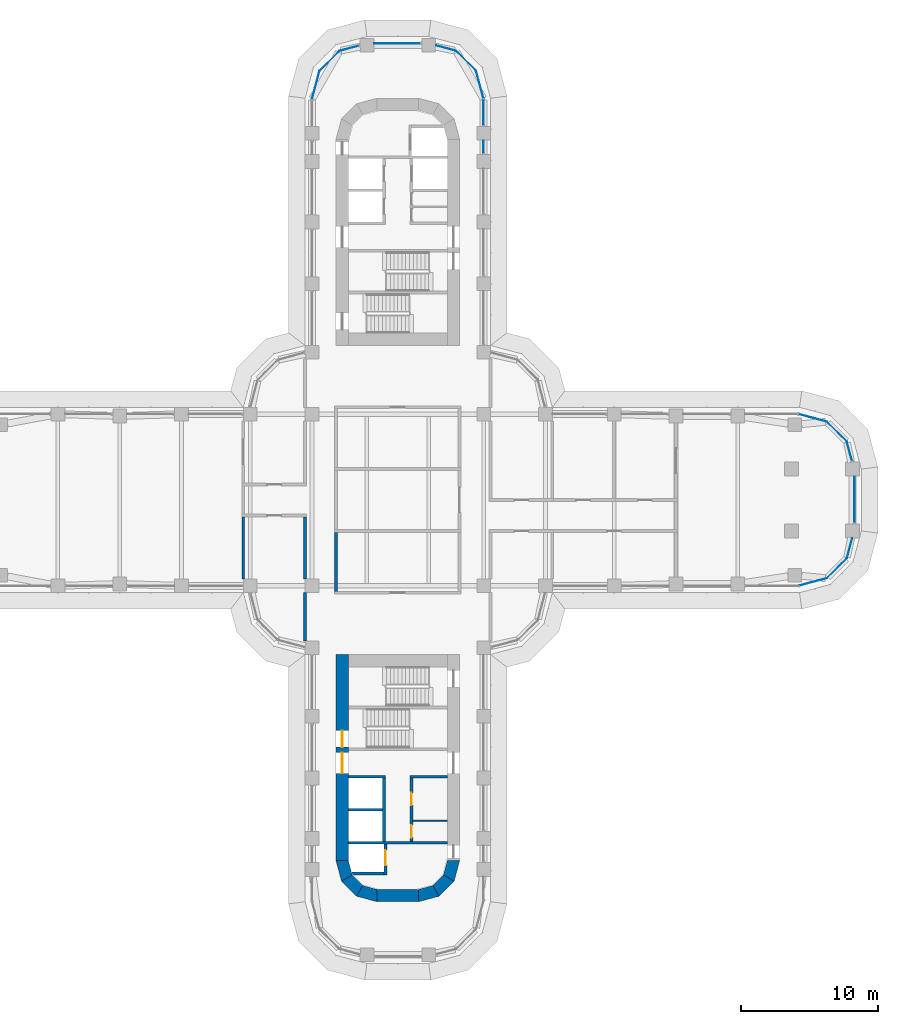
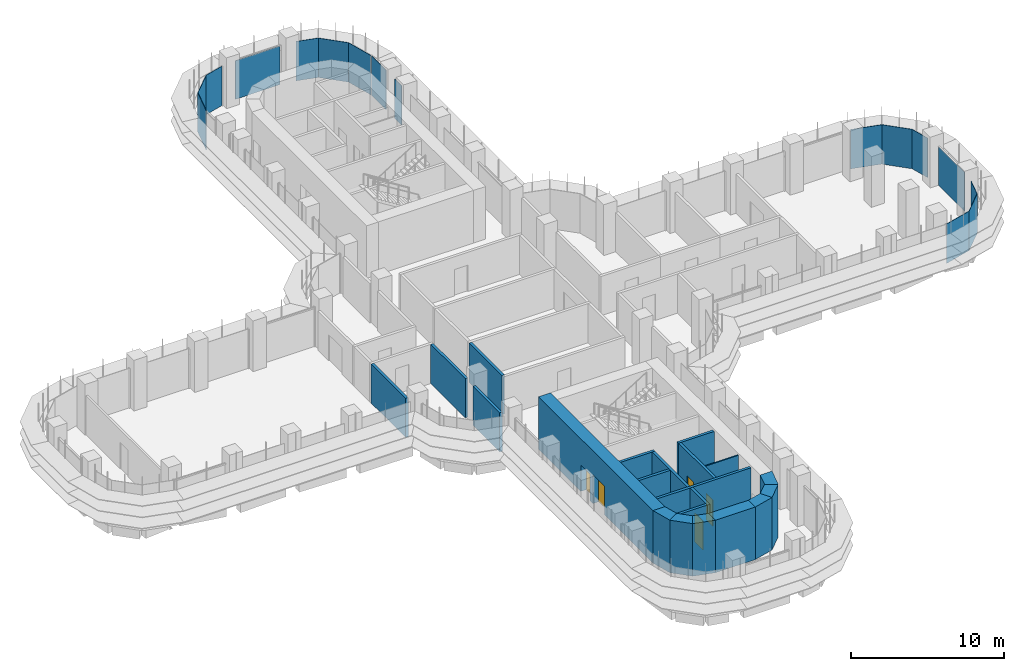
# One storey, part 16 of 23: 21 walls, 16 plates, 5 doors, 5 openings, 15 elements without a shape of their own.
"""IFC4 building model written with IfcOpenShell, lengths in metres."""

from ifc_helpers import new_model, si_unit, direction, frame, frame_2d, origin, place, context, subcontext, project, spatial, polyline, rectangle, outline, extrude, source, transform, mapped, material, layer, layer_set, type_object, element, fill, aggregate, save


model = new_model("IFC4")

# Units and contexts
model_context = context("Model", 3, precision=1e-05, world=origin(), true_north=direction((0.0, 1.0)))
body_context = subcontext(model_context, "Body", "Model", "MODEL_VIEW")
ifc_project = project(units=[si_unit("LENGTHUNIT", "METRE"), si_unit("AREAUNIT", "SQUARE_METRE"), si_unit("VOLUMEUNIT", "CUBIC_METRE"), si_unit("PLANEANGLEUNIT", "RADIAN"), si_unit("MASSUNIT", "GRAM", prefix="KILO")], contexts=[model_context])

# Site, building, storey
site_placement = place(None, origin())
site = spatial("IfcSite", under=ifc_project, at=site_placement, CompositionType="ELEMENT")
building_placement = place(site_placement, origin())
building = spatial("IfcBuilding", under=site, at=building_placement, Name="Zarbagh Exchange Tower", CompositionType="ELEMENT")
storey_placement = place(building_placement, frame((0.0, 0.0, 69.0)))
storey = spatial("IfcBuildingStorey", under=building, at=storey_placement, Name="L15", CompositionType="ELEMENT", Elevation=69.0)

# Curtain wall, plate
ifc_material_1 = material(Name="Anodised aluminium frame and glazing", Category="aluminium")
curtain_wall_type = type_object("IfcCurtainWallType", Name="CWA Ribbon glazing, lower zones", PredefinedType="NOTDEFINED", material=ifc_material_1)
curtain_wall_1_placement = place(storey_placement, origin())
curtain_wall_1 = element("IfcCurtainWall", 1, at=curtain_wall_1_placement, inside=storey, type_object=curtain_wall_type, Name="CWA13 curtain wall", PredefinedType="NOTDEFINED")
ifc_material_2 = material(Name="Low-e double glazed unit, 6+12+6 mm")
ifc_layer_1 = layer(ifc_material_2, 0.028076171875)
ifc_layer_set_1 = layer_set([ifc_layer_1], Name="PAA Glazing panel, Low-e double glazed unit, 6+12+6 mm")
plate_type = type_object("IfcPlateType", Name="PAA Glazing panel, Low-e double glazed unit, 6+12+6 mm", PredefinedType="CURTAIN_PANEL", material=ifc_layer_set_1)
shared_shape_1 = source(origin(), body_context, "Body", "SweptSolid", [
    extrude(outline(polyline([(0.0, -0.013916015625), (1.4423828125, -0.013916015625), (1.4423828125, 0.013916015625), (0.0, 0.013916015625), (0.0, -0.013916015625)])), origin(), (0.0, 0.0, 1.0), 3.14990234375),
])
placement = place(storey_placement, origin())
plate_1 = element("IfcPlate", 2, at=placement, type_object=plate_type, Name="CWA13 glazing panel 1.1", PredefinedType="CURTAIN_PANEL", context=body_context, shape_type="MappedRepresentation", body=[
    mapped(shared_shape_1, transform((33.072021484375, 2.847900390625, 0.0), x_axis=(-0.258824779902, 0.965924289636, 0.0), y_axis=(-0.965924289636, -0.258824779902, 0.0), z_axis=(0.0, 0.0, 1.0))),
])
aggregate(curtain_wall_1, [plate_1])

curtain_wall_2_placement = place(storey_placement, origin())
curtain_wall_2 = element("IfcCurtainWall", 3, at=curtain_wall_2_placement, inside=storey, type_object=curtain_wall_type, Name="CWA25 curtain wall", PredefinedType="NOTDEFINED")
plate_2 = element("IfcPlate", 4, at=placement, type_object=plate_type, Name="CWA25 glazing panel 1.1", PredefinedType="CURTAIN_PANEL", context=body_context, shape_type="MappedRepresentation", body=[
    mapped(shared_shape_1, transform((-2.847900390625, 33.072021484375, 0.0), x_axis=(-0.965924289636, -0.258824779902, 0.0), y_axis=(0.258824779902, -0.965924289636, 0.0), z_axis=(0.0, 0.0, 1.0))),
])
aggregate(curtain_wall_2, [plate_2])

curtain_wall_3_placement = place(storey_placement, origin())
curtain_wall_3 = element("IfcCurtainWall", 5, at=curtain_wall_3_placement, inside=storey, type_object=curtain_wall_type, Name="CWA10 curtain wall", PredefinedType="NOTDEFINED")
shared_shape_2 = source(origin(), body_context, "Body", "SweptSolid", [
    extrude(outline(polyline([(0.0, -0.013916015625), (2.061279296875, -0.013916015625), (2.061279296875, 0.013916015625), (0.0, 0.013916015625), (0.0, -0.013916015625)])), origin(), (0.0, 0.0, 1.0), 3.14990234375),
])
plate_3 = element("IfcPlate", 6, at=placement, type_object=plate_type, Name="CWA10 glazing panel 1.1", PredefinedType="CURTAIN_PANEL", context=body_context, shape_type="MappedRepresentation", body=[
    mapped(shared_shape_2, transform((31.2412109375, -5.69873046875, 0.0), x_axis=(0.707106781187, 0.707106781187, 0.0), y_axis=(-0.707106781187, 0.707106781187, 0.0), z_axis=(0.0, 0.0, 1.0))),
])
aggregate(curtain_wall_3, [plate_3])

curtain_wall_4_placement = place(storey_placement, origin())
curtain_wall_4 = element("IfcCurtainWall", 7, at=curtain_wall_4_placement, inside=storey, type_object=curtain_wall_type, Name="CWA14 curtain wall", PredefinedType="NOTDEFINED")
plate_4 = element("IfcPlate", 8, at=placement, type_object=plate_type, Name="CWA14 glazing panel 1.1", PredefinedType="CURTAIN_PANEL", context=body_context, shape_type="MappedRepresentation", body=[
    mapped(shared_shape_2, transform((32.69873046875, 4.2412109375, 0.0), x_axis=(-0.707106781187, 0.707106781187, 0.0), y_axis=(-0.707106781187, -0.707106781187, 0.0), z_axis=(0.0, 0.0, 1.0))),
])
aggregate(curtain_wall_4, [plate_4])

curtain_wall_5_placement = place(storey_placement, origin())
curtain_wall_5 = element("IfcCurtainWall", 9, at=curtain_wall_5_placement, inside=storey, type_object=curtain_wall_type, Name="CWA22 curtain wall", PredefinedType="NOTDEFINED")
plate_5 = element("IfcPlate", 10, at=placement, type_object=plate_type, Name="CWA22 glazing panel 1.1", PredefinedType="CURTAIN_PANEL", context=body_context, shape_type="MappedRepresentation", body=[
    mapped(shared_shape_2, transform((5.69873046875, 31.2412109375, 0.0), x_axis=(-0.707106781187, 0.707106781187, 0.0), y_axis=(-0.707106781187, -0.707106781187, 0.0), z_axis=(0.0, 0.0, 1.0))),
])
aggregate(curtain_wall_5, [plate_5])

curtain_wall_6_placement = place(storey_placement, origin())
curtain_wall_6 = element("IfcCurtainWall", 11, at=curtain_wall_6_placement, inside=storey, type_object=curtain_wall_type, Name="CWA26 curtain wall", PredefinedType="NOTDEFINED")
plate_6 = element("IfcPlate", 12, at=placement, type_object=plate_type, Name="CWA26 glazing panel 1.1", PredefinedType="CURTAIN_PANEL", context=body_context, shape_type="MappedRepresentation", body=[
    mapped(shared_shape_2, transform((-4.2412109375, 32.69873046875, 0.0), x_axis=(-0.707106781187, -0.707106781187, 0.0), y_axis=(0.707106781187, -0.707106781187, 0.0), z_axis=(0.0, 0.0, 1.0))),
])
aggregate(curtain_wall_6, [plate_6])

curtain_wall_7_placement = place(storey_placement, origin())
curtain_wall_7 = element("IfcCurtainWall", 13, at=curtain_wall_7_placement, inside=storey, type_object=curtain_wall_type, Name="CWA15 curtain wall", PredefinedType="NOTDEFINED")
shared_shape_3 = source(origin(), body_context, "Body", "SweptSolid", [
    extrude(outline(polyline([(0.0, -0.013916015625), (2.129638671875, -0.013916015625), (2.129638671875, 0.013916015625), (0.0, 0.013916015625), (0.0, -0.013916015625)])), origin(), (0.0, 0.0, 1.0), 3.14990234375),
])
plate_7 = element("IfcPlate", 14, at=placement, type_object=plate_type, Name="CWA15 glazing panel 1.1", PredefinedType="CURTAIN_PANEL", context=body_context, shape_type="MappedRepresentation", body=[
    mapped(shared_shape_3, transform((31.2412109375, 5.69873046875, 0.0), x_axis=(-0.965924289636, 0.258824779902, 0.0), y_axis=(-0.258824779902, -0.965924289636, 0.0), z_axis=(0.0, 0.0, 1.0))),
])
aggregate(curtain_wall_7, [plate_7])

curtain_wall_8_placement = place(storey_placement, origin())
curtain_wall_8 = element("IfcCurtainWall", 15, at=curtain_wall_8_placement, inside=storey, type_object=curtain_wall_type, Name="CWA27 curtain wall", PredefinedType="NOTDEFINED")
plate_8 = element("IfcPlate", 16, at=placement, type_object=plate_type, Name="CWA27 glazing panel 1.1", PredefinedType="CURTAIN_PANEL", context=body_context, shape_type="MappedRepresentation", body=[
    mapped(shared_shape_3, transform((-5.69873046875, 31.2412109375, 0.0), x_axis=(-0.258824779902, -0.965924289636, 0.0), y_axis=(0.965924289636, -0.258824779902, 0.0), z_axis=(0.0, 0.0, 1.0))),
])
aggregate(curtain_wall_8, [plate_8])

curtain_wall_9_placement = place(storey_placement, origin())
curtain_wall_9 = element("IfcCurtainWall", 17, at=curtain_wall_9_placement, inside=storey, type_object=curtain_wall_type, Name="CWA09 curtain wall", PredefinedType="NOTDEFINED")
shared_shape_4 = source(origin(), body_context, "Body", "SweptSolid", [
    extrude(outline(polyline([(0.0, -0.013916015625), (2.069580078125, -0.013916015625), (2.069580078125, 0.013916015625), (0.0, 0.013916015625), (0.0, -0.013916015625)])), origin(), (0.0, 0.0, 1.0), 3.14990234375),
])
plate_9 = element("IfcPlate", 18, at=placement, type_object=plate_type, Name="CWA09 glazing panel 1.1", PredefinedType="CURTAIN_PANEL", context=body_context, shape_type="MappedRepresentation", body=[
    mapped(shared_shape_4, transform((29.2421875, -6.234375, 0.0), x_axis=(0.965924289636, 0.258824779902, 0.0), y_axis=(-0.258824779902, 0.965924289636, 0.0), z_axis=(0.0, 0.0, 1.0))),
])
aggregate(curtain_wall_9, [plate_9])

curtain_wall_10_placement = place(storey_placement, origin())
curtain_wall_10 = element("IfcCurtainWall", 19, at=curtain_wall_10_placement, inside=storey, type_object=curtain_wall_type, Name="CWA21 curtain wall", PredefinedType="NOTDEFINED")
plate_10 = element("IfcPlate", 20, at=placement, type_object=plate_type, Name="CWA21 glazing panel 1.1", PredefinedType="CURTAIN_PANEL", context=body_context, shape_type="MappedRepresentation", body=[
    mapped(shared_shape_4, transform((6.234375, 29.2421875, 0.0), x_axis=(-0.258824779902, 0.965924289636, 0.0), y_axis=(-0.965924289636, -0.258824779902, 0.0), z_axis=(0.0, 0.0, 1.0))),
])
aggregate(curtain_wall_10, [plate_10])

curtain_wall_11_placement = place(storey_placement, origin())
curtain_wall_11 = element("IfcCurtainWall", 21, at=curtain_wall_11_placement, inside=storey, type_object=curtain_wall_type, Name="CWA11 curtain wall", PredefinedType="NOTDEFINED")
shared_shape_5 = source(origin(), body_context, "Body", "SweptSolid", [
    extrude(outline(polyline([(0.0, -0.013916015625), (1.50244140625, -0.013916015625), (1.50244140625, 0.013916015625), (0.0, 0.013916015625), (0.0, -0.013916015625)])), origin(), (0.0, 0.0, 1.0), 3.14990234375),
])
plate_11 = element("IfcPlate", 22, at=placement, type_object=plate_type, Name="CWA11 glazing panel 1.1", PredefinedType="CURTAIN_PANEL", context=body_context, shape_type="MappedRepresentation", body=[
    mapped(shared_shape_5, transform((32.69873046875, -4.2412109375, 0.0), x_axis=(0.258824779902, 0.965924289636, 0.0), y_axis=(-0.965924289636, 0.258824779902, 0.0), z_axis=(0.0, 0.0, 1.0))),
])
aggregate(curtain_wall_11, [plate_11])

curtain_wall_12_placement = place(storey_placement, origin())
curtain_wall_12 = element("IfcCurtainWall", 23, at=curtain_wall_12_placement, inside=storey, type_object=curtain_wall_type, Name="CWA23 curtain wall", PredefinedType="NOTDEFINED")
plate_12 = element("IfcPlate", 24, at=placement, type_object=plate_type, Name="CWA23 glazing panel 1.1", PredefinedType="CURTAIN_PANEL", context=body_context, shape_type="MappedRepresentation", body=[
    mapped(shared_shape_5, transform((4.2412109375, 32.69873046875, 0.0), x_axis=(-0.965924289636, 0.258824779902, 0.0), y_axis=(-0.258824779902, -0.965924289636, 0.0), z_axis=(0.0, 0.0, 1.0))),
])
aggregate(curtain_wall_12, [plate_12])

curtain_wall_13_placement = place(storey_placement, origin())
curtain_wall_13 = element("IfcCurtainWall", 25, at=curtain_wall_13_placement, inside=storey, type_object=curtain_wall_type, Name="CWA12 curtain wall", PredefinedType="NOTDEFINED")
shared_shape_6 = source(origin(), body_context, "Body", "SweptSolid", [
    extrude(outline(polyline([(0.0, -0.013916015625), (3.360107421875, -0.013916015625), (3.360107421875, 0.013916015625), (0.0, 0.013916015625), (0.0, -0.013916015625)])), origin(), (0.0, 0.0, 1.0), 3.090087890625),
])
plate_13 = element("IfcPlate", 26, at=placement, type_object=plate_type, Name="CWA12 glazing panel 1.1", PredefinedType="CURTAIN_PANEL", context=body_context, shape_type="MappedRepresentation", body=[
    mapped(shared_shape_6, transform((33.25, -1.64990234375, 0.0), x_axis=(0.0, 1.0, 0.0), y_axis=(-1.0, 0.0, 0.0), z_axis=(0.0, 0.0, 1.0))),
])
aggregate(curtain_wall_13, [plate_13])

curtain_wall_14_placement = place(storey_placement, origin())
curtain_wall_14 = element("IfcCurtainWall", 27, at=curtain_wall_14_placement, inside=storey, type_object=curtain_wall_type, Name="CWA24 curtain wall", PredefinedType="NOTDEFINED")
plate_14 = element("IfcPlate", 28, at=placement, type_object=plate_type, Name="CWA24 glazing panel 1.1", PredefinedType="CURTAIN_PANEL", context=body_context, shape_type="MappedRepresentation", body=[
    mapped(shared_shape_6, transform((1.64990234375, 33.25, 0.0), x_axis=(-1.0, 0.0, 0.0), y_axis=(0.0, -1.0, 0.0), z_axis=(0.0, 0.0, 1.0))),
])
aggregate(curtain_wall_14, [plate_14])

# Curtain wall, plates
curtain_wall_15_placement = place(storey_placement, origin())
curtain_wall_15 = element("IfcCurtainWall", 29, at=curtain_wall_15_placement, inside=storey, type_object=curtain_wall_type, Name="CWA20 curtain wall", PredefinedType="NOTDEFINED")
shared_shape_7 = source(origin(), body_context, "Body", "SweptSolid", [
    extrude(outline(polyline([(0.0, -0.013916015625), (0.909912109375, -0.013916015625), (0.909912109375, 0.013916015625), (0.0, 0.013916015625), (0.0, -0.013916015625)])), origin(), (0.0, 0.0, 1.0), 3.14990234375),
])
plate_15 = element("IfcPlate", 30, at=placement, type_object=plate_type, Name="CWA20 glazing panel 4.1", PredefinedType="CURTAIN_PANEL", context=body_context, shape_type="MappedRepresentation", body=[
    mapped(shared_shape_7, transform((6.25, 25.25, 0.0), x_axis=(0.0, 1.0, 0.0), y_axis=(-1.0, 0.0, 0.0), z_axis=(0.0, 0.0, 1.0))),
])
shared_shape_8 = source(origin(), body_context, "Body", "SweptSolid", [
    extrude(outline(polyline([(0.0, -0.013916015625), (1.884033203125, -0.013916015625), (1.884033203125, 0.013916015625), (0.0, 0.013916015625), (0.0, -0.013916015625)])), origin(), (0.0, 0.0, 1.0), 3.14990234375),
])
plate_16 = element("IfcPlate", 31, at=placement, type_object=plate_type, Name="CWA20 glazing panel 5.1", PredefinedType="CURTAIN_PANEL", context=body_context, shape_type="MappedRepresentation", body=[
    mapped(shared_shape_8, transform((6.25, 27.300048828125, 0.0), x_axis=(0.0, 1.0, 0.0), y_axis=(-1.0, 0.0, 0.0), z_axis=(0.0, 0.0, 1.0))),
])
aggregate(curtain_wall_15, [plate_15, plate_16])

# Walls
ifc_material_3 = material(Name="Dense blockwork", Category="masonry")
ifc_layer_2 = layer(ifc_material_3, 0.10009765625)
ifc_layer_set_2 = layer_set([ifc_layer_2], Name="Core partition 100 mm blockwork")
wall_type_1 = type_object("IfcWallType", Name="Core partition 100 mm blockwork", PredefinedType="PARTITIONING", material=ifc_layer_set_2)
wall_1_placement = place(storey_placement, frame((3.60009765625, -23.35009765625, 0.0), z_axis=(0.0, 0.0, 1.0), x_axis=(-1.0, 0.0, 0.0)))
element("IfcWall", 32, at=wall_1_placement, inside=storey, type_object=wall_type_1, Name="South core partition wall CUT-W-500", PredefinedType="PARTITIONING", context=body_context, shape_type="SweptSolid", body=[
    extrude(rectangle(XDim=2.5, YDim=0.10009765625, at=frame_2d((1.25, 0.0))), origin(), (0.0, 0.0, 1.0), 4.050048828125),
])
ifc_material_4 = material(Name="Fire-rated plasterboard partition")
ifc_layer_3 = layer(ifc_material_4, 0.199951171875)
ifc_layer_set_3 = layer_set([ifc_layer_3], Name="RATED PARTITION 200")
wall_type_2 = type_object("IfcWallType", Name="RATED PARTITION 200", PredefinedType="PARTITIONING", material=ifc_layer_set_3)
wall_2_placement = place(storey_placement, frame((-4.5, -6.64990234375, 0.0), z_axis=(0.0, 0.0, 1.0), x_axis=(0.0, 1.0, 0.0)))
element("IfcWall", 33, at=wall_2_placement, inside=storey, type_object=wall_type_2, Name="Partition W-503", PredefinedType="PARTITIONING", context=body_context, shape_type="SweptSolid", body=[
    extrude(rectangle(XDim=4.2998046875, YDim=0.199951171875, at=frame_2d((2.14990234375, 0.0))), origin(), (0.0, 0.0, 1.0), 3.130615234375),
])
wall_3_placement = place(storey_placement, frame((-6.75, -10.25, 0.0), z_axis=(0.0, 0.0, 1.0), x_axis=(0.0, 1.0, 0.0)))
element("IfcWall", 34, at=wall_3_placement, inside=storey, type_object=wall_type_2, Name="Partition W-506", PredefinedType="PARTITIONING", context=body_context, shape_type="SweptSolid", body=[
    extrude(rectangle(XDim=3.5, YDim=0.199951171875, at=frame_2d((1.75, 0.0))), origin(), (0.0, 0.0, 1.0), 3.130615234375),
])
for number, where, z_axis, x_axis, name in (
    (35, (-6.75, -5.75, 0.0), (0.0, 0.0, 1.0), (0.0, 1.0, 0.0), "Partition W-507"),
    (36, (-11.25, -5.75, 0.0), (0.0, 0.0, 1.0), (0.0, 1.0, 0.0), "Partition W-534"),
):
    element("IfcWall", number, at=place(storey_placement, frame(where, z_axis=z_axis, x_axis=x_axis)), inside=storey, type_object=wall_type_2, Name=name, PredefinedType="PARTITIONING", context=body_context, shape_type="SweptSolid", body=[
        extrude(rectangle(XDim=4.52490234375, YDim=0.199951171875, at=frame_2d((2.262451171875, 0.0))), origin(), (0.0, 0.0, 1.0), 3.130615234375),
    ])
ifc_material_5 = material(Name="Concrete C60/75", Category="concrete")
ifc_layer_4 = layer(ifc_material_5, 0.89990234375)
ifc_layer_set_4 = layer_set([ifc_layer_4], Name="RC core corner wall 900 C60/75")
wall_type_3 = type_object("IfcWallType", Name="RC core corner wall 900 C60/75", PredefinedType="SHEAR", material=ifc_layer_set_4)
wall_4_placement = place(storey_placement, origin())
element("IfcWall", 37, at=wall_4_placement, inside=storey, type_object=wall_type_3, Name="CW2 core S corner W", PredefinedType="SHEAR", context=body_context, shape_type="SweptSolid", body=[
    extrude(outline(polyline([(-4.5, -26.25), (-4.09814453125, -27.75), (-3.318603515625, -27.300048828125), (-3.60009765625, -26.25), (-4.5, -26.25)])), origin(), (0.0, 0.0, 1.0), 4.199951171875),
])
wall_5_placement = place(storey_placement, origin())
element("IfcWall", 38, at=wall_5_placement, inside=storey, type_object=wall_type_3, Name="CW2 core S corner W", PredefinedType="SHEAR", context=body_context, shape_type="SweptSolid", body=[
    extrude(outline(polyline([(-4.09814453125, -27.75), (-3.0, -28.84814453125), (-2.550048828125, -28.068603515625), (-3.318603515625, -27.300048828125), (-4.09814453125, -27.75)])), origin(), (0.0, 0.0, 1.0), 4.199951171875),
])
wall_6_placement = place(storey_placement, origin())
element("IfcWall", 39, at=wall_6_placement, inside=storey, type_object=wall_type_3, Name="CW2 core S corner W", PredefinedType="SHEAR", context=body_context, shape_type="SweptSolid", body=[
    extrude(outline(polyline([(-3.0, -28.84814453125), (-1.5, -29.25), (-1.5, -28.35009765625), (-2.550048828125, -28.068603515625), (-3.0, -28.84814453125)])), origin(), (0.0, 0.0, 1.0), 4.199951171875),
])
wall_7_placement = place(storey_placement, origin())
element("IfcWall", 40, at=wall_7_placement, inside=storey, type_object=wall_type_3, Name="CW2 core S corner E", PredefinedType="SHEAR", context=body_context, shape_type="SweptSolid", body=[
    extrude(outline(polyline([(4.5, -26.25), (4.09814453125, -27.75), (3.318603515625, -27.300048828125), (3.60009765625, -26.25), (4.5, -26.25)])), origin(), (0.0, 0.0, 1.0), 4.199951171875),
])
wall_8_placement = place(storey_placement, origin())
element("IfcWall", 41, at=wall_8_placement, inside=storey, type_object=wall_type_3, Name="CW2 core S corner E", PredefinedType="SHEAR", context=body_context, shape_type="SweptSolid", body=[
    extrude(outline(polyline([(4.09814453125, -27.75), (3.0, -28.84814453125), (2.550048828125, -28.068603515625), (3.318603515625, -27.300048828125), (4.09814453125, -27.75)])), origin(), (0.0, 0.0, 1.0), 4.199951171875),
])
wall_9_placement = place(storey_placement, origin())
element("IfcWall", 42, at=wall_9_placement, inside=storey, type_object=wall_type_3, Name="CW2 core S corner E", PredefinedType="SHEAR", context=body_context, shape_type="SweptSolid", body=[
    extrude(outline(polyline([(3.0, -28.84814453125), (1.5, -29.25), (1.5, -28.35009765625), (2.550048828125, -28.068603515625), (3.0, -28.84814453125)])), origin(), (0.0, 0.0, 1.0), 4.199951171875),
])

# Wall, openings, doors
ifc_layer_5 = layer(ifc_material_5, 0.89990234375)
ifc_layer_set_5 = layer_set([ifc_layer_5], Name="RC core wall 900 C60/75")
wall_type_4 = type_object("IfcWallType", Name="RC core wall 900 C60/75", PredefinedType="SHEAR", material=ifc_layer_set_5)
wall_10_placement = place(storey_placement, frame((-4.050048828125, -11.25, 0.0), z_axis=(0.0, 0.0, 1.0), x_axis=(0.0, -1.0, 0.0)))
wall_10 = element("IfcWall", 43, at=wall_10_placement, inside=storey, type_object=wall_type_4, Name="CW1 core S W", PredefinedType="SHEAR", context=body_context, shape_type="SweptSolid", body=[
    extrude(rectangle(XDim=15.0, YDim=0.89990234375, at=frame_2d((7.5, 0.0))), origin(), (0.0, 0.0, 1.0), 4.199951171875),
])
opening_1_placement = place(wall_10_placement, frame((7.14990234375, 0.0, 0.0)))
opening_1 = element("IfcOpeningElement", 44, at=opening_1_placement, cuts=wall_10, Name="Opening CD1-1500", PredefinedType="OPENING", context=body_context, shape_type="SweptSolid", body=[
    extrude(rectangle(XDim=1.5, YDim=2.300048828125, at=frame_2d((0.75, 1.14990234375))), frame((0.0, 0.4599609375, 0.0), z_axis=(0.0, -1.0, 0.0), x_axis=(1.0, 0.0, 0.0)), (0.0, 0.0, 1.0), 0.919921875),
])
opening_2_placement = place(wall_10_placement, frame((5.550048828125, 0.0, 0.0)))
opening_2 = element("IfcOpeningElement", 45, at=opening_2_placement, cuts=wall_10, Name="Opening SD1-1200", PredefinedType="OPENING", context=body_context, shape_type="SweptSolid", body=[
    extrude(rectangle(XDim=1.199951171875, YDim=2.10009765625, at=frame_2d((0.60009765625, 1.050048828125))), frame((0.0, 0.4599609375, 0.0), z_axis=(0.0, -1.0, 0.0), x_axis=(1.0, 0.0, 0.0)), (0.0, 0.0, 1.0), 0.919921875),
])
ifc_material_6 = material(Name="Steel", Category="steel")
door_type_1 = type_object("IfcDoorType", Name="Exit stair door 1200 x 2100", OperationType="NOTDEFINED", PredefinedType="DOOR", material=ifc_material_6)
door_1_placement = place(opening_2_placement, origin())
door_1 = element("IfcDoor", 46, at=door_1_placement, inside=storey, type_object=door_type_1, Name="South core stair door ST1", OperationType="SINGLE_SWING_RIGHT", OverallHeight=2.10009765625, OverallWidth=1.199951171875, PredefinedType="DOOR", context=body_context, shape_type="SweptSolid", body=[
    extrude(rectangle(XDim=1.199951171875, YDim=2.10009765625, at=frame_2d((0.60009765625, 1.050048828125))), frame((0.0, 0.02490234375, 0.0), z_axis=(0.0, -1.0, 0.0), x_axis=(1.0, 0.0, 0.0)), (0.0, 0.0, 1.0), 0.050048828125),
])
fill(opening_2, door_1)
door_type_2 = type_object("IfcDoorType", Name="Lift lobby double door 1500 x 2300", OperationType="NOTDEFINED", PredefinedType="DOOR", material=ifc_material_6)
door_2_placement = place(opening_1_placement, origin())
door_2 = element("IfcDoor", 47, at=door_2_placement, inside=storey, type_object=door_type_2, Name="South core lift lobby door LOBBY-E", OperationType="DOUBLE_DOOR_SINGLE_SWING", OverallHeight=2.300048828125, OverallWidth=1.5, PredefinedType="DOOR", context=body_context, shape_type="SweptSolid", body=[
    extrude(rectangle(XDim=1.5, YDim=2.300048828125, at=frame_2d((0.75, 1.14990234375))), frame((0.0, 0.02490234375, 0.0), z_axis=(0.0, -1.0, 0.0), x_axis=(1.0, 0.0, 0.0)), (0.0, 0.0, 1.0), 0.050048828125),
])
fill(opening_1, door_2)

# Walls
wall_11_placement = place(storey_placement, frame((-1.5, -28.800048828125, 0.0), z_axis=(0.0, 0.0, 1.0), x_axis=(1.0, 0.0, 0.0)))
element("IfcWall", 48, at=wall_11_placement, inside=storey, type_object=wall_type_4, Name="CW1 core S outer end", PredefinedType="SHEAR", context=body_context, shape_type="SweptSolid", body=[
    extrude(rectangle(XDim=3.0, YDim=0.89990234375, at=frame_2d((1.5, 0.0))), origin(), (0.0, 0.0, 1.0), 4.199951171875),
])
ifc_layer_6 = layer(ifc_material_3, 0.199951171875)
ifc_layer_set_6 = layer_set([ifc_layer_6], Name="Shaft wall 200 mm blockwork")
wall_type_5 = type_object("IfcWallType", Name="Shaft wall 200 mm blockwork", PredefinedType="PARTITIONING", material=ifc_layer_set_6)
wall_12_placement = place(storey_placement, frame((3.60009765625, -20.14990234375, 0.0), z_axis=(0.0, 0.0, 1.0), x_axis=(-1.0, 0.0, 0.0)))
element("IfcWall", 49, at=wall_12_placement, inside=storey, type_object=wall_type_5, Name="South core shaft wall AB-W", PredefinedType="PARTITIONING", context=body_context, shape_type="SweptSolid", body=[
    extrude(rectangle(XDim=2.7001953125, YDim=0.199951171875, at=frame_2d((1.35009765625, 0.0))), origin(), (0.0, 0.0, 1.0), 4.050048828125),
])

# Wall, openings, doors
wall_13_placement = place(storey_placement, frame((1.0, -24.85009765625, 0.0), z_axis=(0.0, 0.0, 1.0), x_axis=(0.0, 1.0, 0.0)))
wall_13 = element("IfcWall", 50, at=wall_13_placement, inside=storey, type_object=wall_type_5, Name="South core shaft wall LW-W", PredefinedType="PARTITIONING", context=body_context, shape_type="SweptSolid", body=[
    extrude(rectangle(XDim=4.60009765625, YDim=0.199951171875, at=frame_2d((2.300048828125, 0.0))), origin(), (0.0, 0.0, 1.0), 4.050048828125),
])
opening_3_placement = place(wall_13_placement, frame((0.27490234375, 0.0, 0.0)))
opening_3 = element("IfcOpeningElement", 51, at=opening_3_placement, cuts=wall_13, Name="Opening CD3-900", PredefinedType="OPENING", context=body_context, shape_type="SweptSolid", body=[
    extrude(rectangle(XDim=0.89990234375, YDim=2.10009765625, at=frame_2d((0.449951171875, 1.050048828125))), frame((0.0, 0.10986328125, 0.0), z_axis=(0.0, -1.0, 0.0), x_axis=(1.0, 0.0, 0.0)), (0.0, 0.0, 1.0), 0.219970703125),
])
opening_4_placement = place(wall_13_placement, frame((2.625, 0.0, 0.0)))
opening_4 = element("IfcOpeningElement", 52, at=opening_4_placement, cuts=wall_13, Name="Opening CD3-900", PredefinedType="OPENING", context=body_context, shape_type="SweptSolid", body=[
    extrude(rectangle(XDim=0.89990234375, YDim=2.10009765625, at=frame_2d((0.449951171875, 1.050048828125))), frame((0.0, 0.10986328125, 0.0), z_axis=(0.0, -1.0, 0.0), x_axis=(1.0, 0.0, 0.0)), (0.0, 0.0, 1.0), 0.219970703125),
])
door_type_3 = type_object("IfcDoorType", Name="Core room door 900 x 2100", OperationType="NOTDEFINED", PredefinedType="DOOR", material=ifc_material_6)
door_3_placement = place(opening_3_placement, origin())
door_3 = element("IfcDoor", 53, at=door_3_placement, inside=storey, type_object=door_type_3, Name="South core Cleaner's store door RD-W-0", OperationType="SINGLE_SWING_LEFT", OverallHeight=2.10009765625, OverallWidth=0.89990234375, PredefinedType="DOOR", context=body_context, shape_type="SweptSolid", body=[
    extrude(rectangle(XDim=0.89990234375, YDim=2.10009765625, at=frame_2d((0.449951171875, 1.050048828125))), frame((0.0, 0.02490234375, 0.0), z_axis=(0.0, -1.0, 0.0), x_axis=(1.0, 0.0, 0.0)), (0.0, 0.0, 1.0), 0.050048828125),
])
fill(opening_3, door_3)
door_4_placement = place(opening_4_placement, origin())
door_4 = element("IfcDoor", 54, at=door_4_placement, inside=storey, type_object=door_type_3, Name="South core Accessible WC door RD-W-1", OperationType="SINGLE_SWING_LEFT", OverallHeight=2.10009765625, OverallWidth=0.89990234375, PredefinedType="DOOR", context=body_context, shape_type="SweptSolid", body=[
    extrude(rectangle(XDim=0.89990234375, YDim=2.10009765625, at=frame_2d((0.449951171875, 1.050048828125))), frame((0.0, 0.02490234375, 0.0), z_axis=(0.0, -1.0, 0.0), x_axis=(1.0, 0.0, 0.0)), (0.0, 0.0, 1.0), 0.050048828125),
])
fill(opening_4, door_4)

# Walls
wall_14_placement = place(storey_placement, frame((-0.89990234375, -20.14990234375, 0.0), z_axis=(0.0, 0.0, 1.0), x_axis=(-1.0, 0.0, 0.0)))
element("IfcWall", 55, at=wall_14_placement, inside=storey, type_object=wall_type_5, Name="South core shaft wall AB-E", PredefinedType="PARTITIONING", context=body_context, shape_type="SweptSolid", body=[
    extrude(rectangle(XDim=2.7001953125, YDim=0.199951171875, at=frame_2d((1.35009765625, 0.0))), origin(), (0.0, 0.0, 1.0), 4.050048828125),
])
wall_15_placement = place(storey_placement, frame((-1.0, -24.85009765625, 0.0), z_axis=(0.0, 0.0, 1.0), x_axis=(0.0, 1.0, 0.0)))
element("IfcWall", 56, at=wall_15_placement, inside=storey, type_object=wall_type_5, Name="South core shaft wall LW-E", PredefinedType="PARTITIONING", context=body_context, shape_type="SweptSolid", body=[
    extrude(rectangle(XDim=4.60009765625, YDim=0.199951171875, at=frame_2d((2.300048828125, 0.0))), origin(), (0.0, 0.0, 1.0), 4.050048828125),
])
wall_16_placement = place(storey_placement, frame((-1.10009765625, -22.550048828125, 0.0), z_axis=(0.0, 0.0, 1.0), x_axis=(-1.0, 0.0, 0.0)))
element("IfcWall", 57, at=wall_16_placement, inside=storey, type_object=wall_type_5, Name="South core shaft wall TR-E", PredefinedType="PARTITIONING", context=body_context, shape_type="SweptSolid", body=[
    extrude(rectangle(XDim=2.5, YDim=0.199951171875, at=frame_2d((1.25, 0.0))), origin(), (0.0, 0.0, 1.0), 4.050048828125),
])
ifc_material_7 = material(Name="Concrete C40/50", Category="concrete")
ifc_layer_7 = layer(ifc_material_7, 0.199951171875)
ifc_layer_set_7 = layer_set([ifc_layer_7], Name="Stair enclosure wall 200 mm RC C40/50")
wall_type_6 = type_object("IfcWallType", Name="Stair enclosure wall 200 mm RC C40/50", PredefinedType="SHEAR", material=ifc_layer_set_7)
wall_17_placement = place(storey_placement, frame((3.60009765625, -24.949951171875, 0.0), z_axis=(0.0, 0.0, 1.0), x_axis=(-1.0, 0.0, 0.0)))
element("IfcWall", 58, at=wall_17_placement, inside=storey, type_object=wall_type_6, Name="South core lift shaft wall FFA", PredefinedType="SHEAR", context=body_context, shape_type="SweptSolid", body=[
    extrude(rectangle(XDim=7.2001953125, YDim=0.199951171875, at=frame_2d((3.60009765625, 0.0))), origin(), (0.0, 0.0, 1.0), 4.050048828125),
])

# Wall, opening, door
wall_18_placement = place(storey_placement, frame((-0.89990234375, -27.300048828125, 0.0), z_axis=(0.0, 0.0, 1.0), x_axis=(0.0, 1.0, 0.0)))
wall_18 = element("IfcWall", 59, at=wall_18_placement, inside=storey, type_object=wall_type_6, Name="South core lift shaft wall FFL", PredefinedType="SHEAR", context=body_context, shape_type="SweptSolid", body=[
    extrude(rectangle(XDim=2.25, YDim=0.199951171875, at=frame_2d((1.125, 0.0))), origin(), (0.0, 0.0, 1.0), 4.050048828125),
])
opening_5_placement = place(wall_18_placement, frame((0.699951171875, 0.0, 0.0)))
opening_5 = element("IfcOpeningElement", 60, at=opening_5_placement, cuts=wall_18, Name="Opening LD-1100", PredefinedType="OPENING", context=body_context, shape_type="SweptSolid", body=[
    extrude(rectangle(XDim=1.10009765625, YDim=2.300048828125, at=frame_2d((0.550048828125, 1.14990234375))), frame((0.0, 0.10986328125, 0.0), z_axis=(0.0, -1.0, 0.0), x_axis=(1.0, 0.0, 0.0)), (0.0, 0.0, 1.0), 0.219970703125),
])
ifc_material_8 = material(Name="Stainless steel", Category="steel")
door_type_4 = type_object("IfcDoorType", Name="Lift landing door 1100 x 2300", OperationType="NOTDEFINED", PredefinedType="DOOR", material=ifc_material_8)
door_5_placement = place(opening_5_placement, origin())
door_5 = element("IfcDoor", 61, at=door_5_placement, inside=storey, type_object=door_type_4, Name="South core lift landing door LD-F", OperationType="DOUBLE_DOOR_SLIDING", OverallHeight=2.300048828125, OverallWidth=1.10009765625, PredefinedType="DOOR", context=body_context, shape_type="SweptSolid", body=[
    extrude(rectangle(XDim=1.10009765625, YDim=2.300048828125, at=frame_2d((0.550048828125, 1.14990234375))), frame((0.0, 0.02490234375, 0.0), z_axis=(0.0, -1.0, 0.0), x_axis=(1.0, 0.0, 0.0)), (0.0, 0.0, 1.0), 0.050048828125),
])
fill(opening_5, door_5)

# Wall
wall_19_placement = place(storey_placement, origin())
element("IfcWall", 62, at=wall_19_placement, inside=storey, type_object=wall_type_6, Name="South core lift shaft wall FFX", PredefinedType="SHEAR", context=body_context, shape_type="SweptSolid", body=[
    extrude(outline(polyline([(-1.0, -27.10009765625), (-3.340576171875, -27.10009765625), (-3.291259765625, -27.2841796875), (-3.275390625, -27.300048828125), (-1.0, -27.300048828125), (-1.0, -27.10009765625)])), origin(), (0.0, 0.0, 1.0), 4.050048828125),
])

save(model, "model.ifc")
